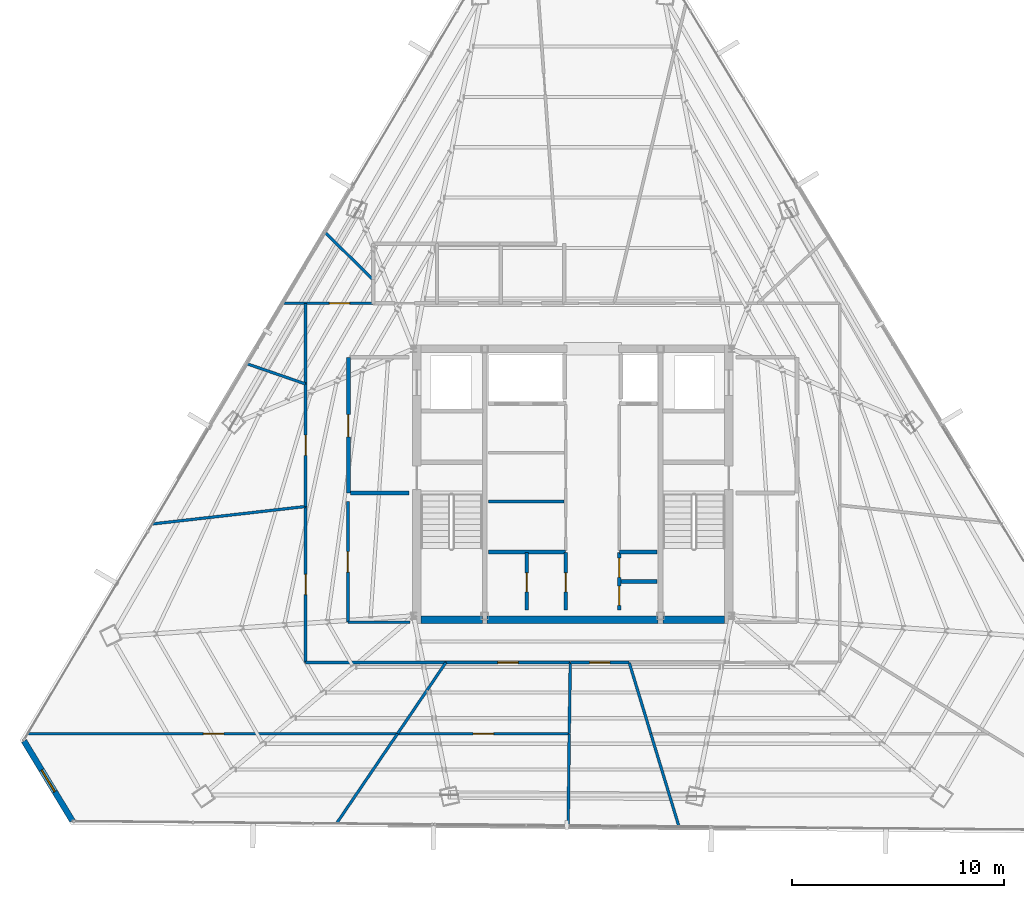
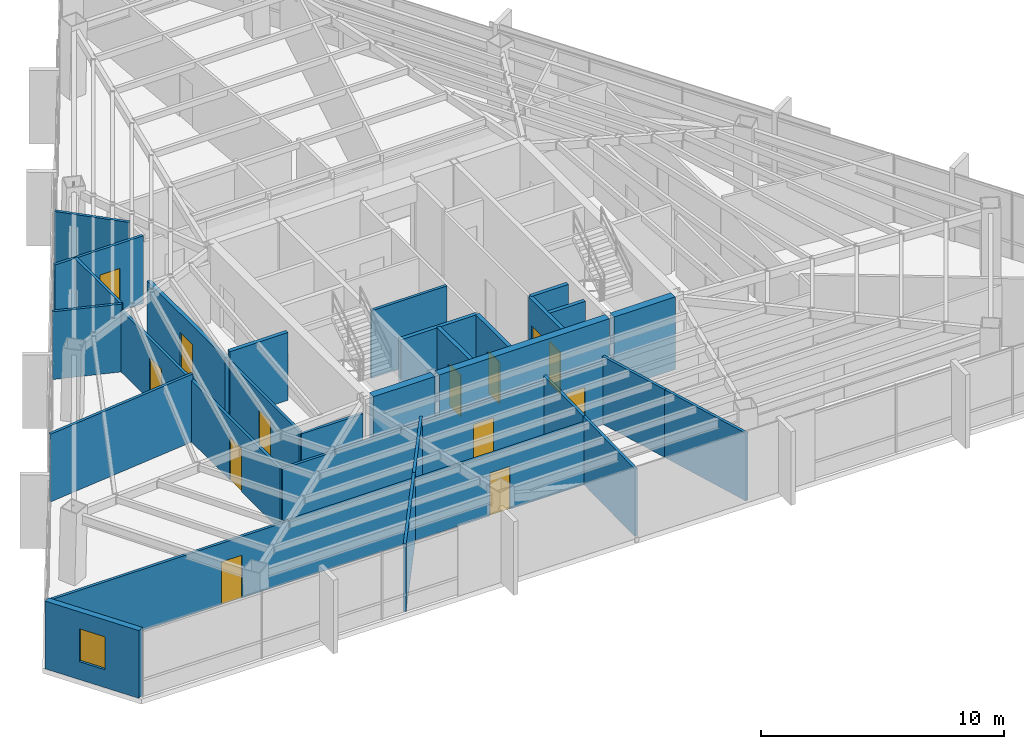
# One storey, part 44 of 49: 33 walls, 13 doors, 1 window, 14 openings.
"""IFC4 building model written with IfcOpenShell, lengths in metres."""

import ifcopenshell
import ifcopenshell.guid

model = None  # the IFC model being written
_history = None  # IfcOwnerHistory: only IFC2X3 demands one
_inside = {}  # id of a spatial element -> (the spatial element, [elements in it])
_under = {}  # id of a project, library or spatial element -> (it, [spatial elements below it])
_declared = {}  # id of a project -> (the project, [libraries it declares])
_typed = {}  # id of a type object -> (the type object, [elements of that type])
_made_of = {}  # id of a material, layer set ... -> (it, [elements and type objects made of it])


def new_model(schema):
    """Start an empty IFC model of exactly this schema.

    Asked for "IFC4X3", IfcOpenShell would pick the latest addendum, in which some entities
    have other attributes; the version numbers below select the first issue.
    IFC2X3 requires an IfcOwnerHistory on every rooted entity: one is made here for all.
    """
    global model, _history
    if schema == "IFC4X3":
        model = ifcopenshell.file(schema_version=(4, 3, 0, 0))
    else:
        model = ifcopenshell.file(schema=schema)
    _inside.clear()
    _under.clear()
    _declared.clear()
    _typed.clear()
    _made_of.clear()
    _history = None
    if model.schema == "IFC2X3":
        org = make("IfcOrganization", Name="unknown")
        user = make(
            "IfcPersonAndOrganization",
            ThePerson=make("IfcPerson", FamilyName="unknown"),
            TheOrganization=org,
        )
        app = make(
            "IfcApplication",
            ApplicationDeveloper=org,
            Version="unknown",
            ApplicationFullName="unknown",
            ApplicationIdentifier="unknown",
        )
        _history = make(
            "IfcOwnerHistory",
            OwningUser=user,
            OwningApplication=app,
            ChangeAction="ADDED",
            CreationDate=0,
        )
    return model


def make(cls, **values):
    """One entity of the class cls with the attributes given. An attribute that is None is left unset."""
    return model.create_entity(
        cls, **{name: value for name, value in values.items() if value is not None}
    )


def rooted(cls, **values):
    """An entity with a GlobalId (a new one), such as an element, a storey or a relation."""
    return make(cls, GlobalId=ifcopenshell.guid.new(), OwnerHistory=_history, **values)


def si_unit(unit_type, name, prefix=None):
    """IfcSIUnit, for example si_unit("LENGTHUNIT", "METRE", prefix="MILLI")."""
    return make("IfcSIUnit", UnitType=unit_type, Prefix=prefix, Name=name)


def assignment(units):
    """IfcUnitAssignment: the units of a project."""
    return None if units is None else make("IfcUnitAssignment", Units=units)


def point(xyz):
    """IfcCartesianPoint."""
    return None if xyz is None else make("IfcCartesianPoint", Coordinates=xyz)


def direction(xyz):
    """IfcDirection."""
    return None if xyz is None else make("IfcDirection", DirectionRatios=xyz)


def frame(location, z_axis=None, x_axis=None):
    """IfcAxis2Placement3D, a coordinate frame: its origin and axes. An axis left out is left unset."""
    return make(
        "IfcAxis2Placement3D",
        Location=point(location),
        Axis=direction(z_axis),
        RefDirection=direction(x_axis),
    )


def frame_2d(location, x_axis=None):
    """IfcAxis2Placement2D, a coordinate frame in the plane: its origin and x axis."""
    return make(
        "IfcAxis2Placement2D", Location=point(location), RefDirection=direction(x_axis)
    )


def origin():
    """The frame at (0, 0, 0) with its axes left unset."""
    return frame((0.0, 0.0, 0.0))


def place(relative_to, where):
    """IfcLocalPlacement: puts the frame where relative to a parent placement (None: the world)."""
    return make(
        "IfcLocalPlacement", PlacementRelTo=relative_to, RelativePlacement=where
    )


def context(
    kind, dimensions, precision=None, world=None, true_north=None, identifier=None
):
    """IfcGeometricRepresentationContext, for example the 3D "Model" context."""
    return make(
        "IfcGeometricRepresentationContext",
        ContextIdentifier=identifier,
        ContextType=kind,
        CoordinateSpaceDimension=dimensions,
        Precision=precision,
        WorldCoordinateSystem=world,
        TrueNorth=true_north,
    )


def subcontext(parent, identifier, kind, view, scale=None):
    """IfcGeometricRepresentationSubContext, for example "Body" below "Model"."""
    return make(
        "IfcGeometricRepresentationSubContext",
        ContextIdentifier=identifier,
        ContextType=kind,
        ParentContext=parent,
        TargetScale=scale,
        TargetView=view,
    )


def project(units=None, contexts=None):
    """IfcProject with its units and contexts."""
    return rooted(
        "IfcProject",
        Name="project",
        RepresentationContexts=contexts,
        UnitsInContext=assignment(units),
    )


def spatial(cls, under=None, at=None, **own):
    """A site, building, storey or space (cls), placed at a placement, below another one or the project."""
    s = rooted(cls, ObjectPlacement=at, **own)
    if under is not None:
        _under.setdefault(under.id(), (under, []))[1].append(s)
    return s


def profile(cls, at=None, kind="AREA", **sizes):
    """A parametric profile (cls). Its sizes go by their IFC names, for example OverallWidth=200.0."""
    return make(cls, ProfileType=kind, Position=at, **sizes)


def rectangle(**sizes):
    """IfcRectangleProfileDef."""
    return profile("IfcRectangleProfileDef", **sizes)


def extrude(swept, where, along, depth):
    """IfcExtrudedAreaSolid: the profile swept, set in the frame where, extruded along a direction by depth."""
    return make(
        "IfcExtrudedAreaSolid",
        SweptArea=swept,
        Position=where,
        ExtrudedDirection=direction(along),
        Depth=depth,
    )


def shape(context_of_items, identifier, shape_type, items):
    """IfcShapeRepresentation: the items that make up one representation, for example the "Body"."""
    return make(
        "IfcShapeRepresentation",
        ContextOfItems=context_of_items,
        RepresentationIdentifier=identifier,
        RepresentationType=shape_type,
        Items=items,
    )


def material(Name=None, Category=None):
    """IfcMaterial."""
    return make("IfcMaterial", Name=Name, Category=Category)


def layer(
    of_material, thickness, ventilated=None, Name=None, Category=None, Priority=None
):
    """IfcMaterialLayer: one layer of a wall or slab, of a material (None: an air gap)."""
    return make(
        "IfcMaterialLayer",
        Material=of_material,
        LayerThickness=thickness,
        IsVentilated=ventilated,
        Name=Name,
        Category=Category,
        Priority=Priority,
    )


def layer_set(layers, Name=None):
    """IfcMaterialLayerSet."""
    return make("IfcMaterialLayerSet", MaterialLayers=layers, LayerSetName=Name)


def made_of(thing, what):
    """Note that an element or type object is made of a material, layer set ...; save() writes the relation."""
    if what is not None:
        _made_of.setdefault(what.id(), (what, []))[1].append(thing)
    return thing


def type_object(cls, material=None, **own):
    """A type object (cls), such as IfcWallType, which elements share."""
    return made_of(rooted(cls, **own), material)


def element(
    cls,
    number,
    at=None,
    inside=None,
    cuts=None,
    type_object=None,
    material=None,
    context=None,
    identifier="Body",
    shape_type=None,
    held_by="IfcProductDefinitionShape",
    body=None,
    shapes=None,
    **own,
):
    """One element of the class cls, such as IfcWall. Its Tag is "e" and its number.

    at: its placement. inside: the storey or other place that contains it. cuts: it is an
    opening in that element (IfcRelVoidsElement). A single representation is given by context,
    identifier, shape_type and body (its items); several are given by shapes. held_by: the class
    of the entity that holds the representations. save() writes the other relations.
    """
    e = rooted(cls, Tag="e%d" % number, ObjectPlacement=at, **own)
    if body is not None:
        shapes = [shape(context, identifier, shape_type, body)]
    if shapes is not None:
        e.Representation = make(held_by, Representations=shapes)
    if inside is not None:
        _inside.setdefault(inside.id(), (inside, []))[1].append(e)
    if cuts is not None:
        rooted(
            "IfcRelVoidsElement", RelatingBuildingElement=cuts, RelatedOpeningElement=e
        )
    if type_object is not None:
        _typed.setdefault(type_object.id(), (type_object, []))[1].append(e)
    return made_of(e, material)


def fill(opening, filler):
    """IfcRelFillsElement: the door or window that sits in an opening."""
    return rooted(
        "IfcRelFillsElement",
        RelatingOpeningElement=opening,
        RelatedBuildingElement=filler,
    )


def aggregate(whole, parts):
    """IfcRelAggregates: a whole, such as a stair, and the parts it consists of."""
    return rooted("IfcRelAggregates", RelatingObject=whole, RelatedObjects=parts)


def save(model, path):
    """Write the relations noted so far, then the file.

    IfcRelAggregates (storeys below a building ...), IfcRelContainedInSpatialStructure (elements
    in a storey), IfcRelDefinesByType, IfcRelAssociatesMaterial and IfcRelDeclares: one each for
    every whole, place, type object, material and project.
    """
    for whole, parts in _under.values():
        aggregate(whole, parts)
    for where, things in _inside.values():
        rooted(
            "IfcRelContainedInSpatialStructure",
            RelatedElements=things,
            RelatingStructure=where,
        )
    for kind, things in _typed.values():
        rooted("IfcRelDefinesByType", RelatedObjects=things, RelatingType=kind)
    for what, things in _made_of.values():
        rooted("IfcRelAssociatesMaterial", RelatedObjects=things, RelatingMaterial=what)
    for by, libraries in _declared.values():
        rooted("IfcRelDeclares", RelatingContext=by, RelatedDefinitions=libraries)
    model.write(path)


model = new_model("IFC4")

# Units and contexts
model_context = context("Model", 3, precision=1e-05, world=origin(), true_north=direction((0.0, 1.0)))
body_context = subcontext(model_context, "Body", "Model", "MODEL_VIEW")
ifc_project = project(units=[si_unit("LENGTHUNIT", "METRE"), si_unit("AREAUNIT", "SQUARE_METRE"), si_unit("VOLUMEUNIT", "CUBIC_METRE"), si_unit("PLANEANGLEUNIT", "RADIAN"), si_unit("MASSUNIT", "GRAM", prefix="KILO")], contexts=[model_context])

# Site, building, storey
site_placement = place(None, origin())
site = spatial("IfcSite", under=ifc_project, at=site_placement, CompositionType="ELEMENT")
building_placement = place(site_placement, origin())
building = spatial("IfcBuilding", under=site, at=building_placement, Name="Caelisora Broadcast Tower", CompositionType="ELEMENT")
storey_placement = place(building_placement, frame((0.0, 0.0, 233.5)))
storey = spatial("IfcBuildingStorey", under=building, at=storey_placement, Name="L61", CompositionType="ELEMENT", Elevation=233.5)

# Walls
ifc_material_1 = material(Name="Concrete 40 MPa (AS 3600 N40)", Category="concrete")
ifc_layer_1 = layer(ifc_material_1, 0.35009765625, Name="Concrete 40 MPa (AS 3600 N40)")
ifc_layer_set_1 = layer_set([ifc_layer_1], Name="Concrete 40 MPa (AS 3600 N40)")
wall_type_1 = type_object("IfcWallType", Name="CW6", PredefinedType="SHEAR", material=ifc_layer_set_1)
wall_1_placement = place(storey_placement, frame((30.840087890625, 17.22509765625, 0.0), z_axis=(0.0, 0.0, 1.0), x_axis=(1.0, 0.0, 0.0)))
element("IfcWall", 1, at=wall_1_placement, inside=storey, type_object=wall_type_1, Name="L61 core shear wall CW6", PredefinedType="SHEAR", context=body_context, shape_type="SweptSolid", body=[
    extrude(rectangle(XDim=2.89990234375, YDim=0.35009765625, at=frame_2d((1.449951171875, 0.0))), origin(), (0.0, 0.0, 1.0), 3.64990234375),
])
wall_2_placement = place(storey_placement, frame((33.9599609375, 17.22509765625, 0.0), z_axis=(0.0, 0.0, 1.0), x_axis=(1.0, 0.0, 0.0)))
element("IfcWall", 2, at=wall_2_placement, inside=storey, type_object=wall_type_1, Name="L61 core shear wall CW6", PredefinedType="SHEAR", context=body_context, shape_type="SweptSolid", body=[
    extrude(rectangle(XDim=8.080078125, YDim=0.35009765625, at=frame_2d((4.0400390625, 0.0))), origin(), (0.0, 0.0, 1.0), 3.64990234375),
])
wall_3_placement = place(storey_placement, frame((42.260009765625, 17.22509765625, 0.0), z_axis=(0.0, 0.0, 1.0), x_axis=(1.0, 0.0, 0.0)))
element("IfcWall", 3, at=wall_3_placement, inside=storey, type_object=wall_type_1, Name="L61 core shear wall CW6", PredefinedType="SHEAR", context=body_context, shape_type="SweptSolid", body=[
    extrude(rectangle(XDim=2.89990234375, YDim=0.35009765625, at=frame_2d((1.449951171875, 0.0))), origin(), (0.0, 0.0, 1.0), 3.64990234375),
])

# Wall, opening, window
ifc_material_2 = material(Name="Insulated Terracotta Spandrel Wall System", Category="masonry")
ifc_layer_2 = layer(ifc_material_2, 0.280029296875, Name="Insulated Terracotta Spandrel Wall System")
ifc_layer_set_2 = layer_set([ifc_layer_2], Name="Insulated Terracotta Spandrel Wall System")
wall_type_2 = type_object("IfcWallType", Name="EW1", PredefinedType="STANDARD", material=ifc_layer_set_2)
wall_4_placement = place(storey_placement, frame((14.3974609375, 7.733642578125, 0.0), z_axis=(0.0, 0.0, 1.0), x_axis=(-0.518358282494, 0.855163546329, 0.0)))
wall_4 = element("IfcWall", 4, at=wall_4_placement, inside=storey, type_object=wall_type_2, Name="L61 exterior envelope wall EW1", PredefinedType="STANDARD", context=body_context, shape_type="SweptSolid", body=[
    extrude(rectangle(XDim=4.39990234375, YDim=0.280029296875, at=frame_2d((2.199951171875, 0.0))), origin(), (0.0, 0.0, 1.0), 3.39990234375),
])
opening_1_placement = place(wall_4_placement, frame((1.60009765625, 0.0, 0.89990234375)))
opening_1 = element("IfcOpeningElement", 5, at=opening_1_placement, cuts=wall_4, Name="Opening W03", PredefinedType="OPENING", context=body_context, shape_type="SweptSolid", body=[
    extrude(rectangle(XDim=1.199951171875, YDim=1.64990234375, at=frame_2d((0.60009765625, 0.824951171875))), frame((0.0, 0.152099609375, 0.0), z_axis=(0.0, -1.0, 0.0), x_axis=(1.0, 0.0, 0.0)), (0.0, 0.0, 1.0), 0.303955078125),
])
ifc_material_3 = material(Name="Double Glazed Corner Vision Window", Category="glass")
window_type = type_object("IfcWindowType", Name="W03", PartitioningType="SINGLE_PANEL", PredefinedType="WINDOW", material=ifc_material_3)
window_placement = place(opening_1_placement, origin())
window = element("IfcWindow", 6, at=window_placement, inside=storey, type_object=window_type, Name="L61 window W03 (L61-WN-CH4)", OverallHeight=1.64990234375, OverallWidth=1.199951171875, PartitioningType="SINGLE_PANEL", PredefinedType="WINDOW", context=body_context, shape_type="SweptSolid", body=[
    extrude(rectangle(XDim=1.199951171875, YDim=1.64990234375, at=frame_2d((0.60009765625, 0.824951171875))), frame((0.0, 0.030029296875, 0.0), z_axis=(0.0, -1.0, 0.0), x_axis=(1.0, 0.0, 0.0)), (0.0, 0.0, 1.0), 0.06005859375),
])
fill(opening_1, window)

# Wall, opening, door
ifc_material_4 = material(Name="Fire-Rated Gypsum Shaft and Compartment Wall", Category="gypsum")
ifc_layer_3 = layer(ifc_material_4, 0.179931640625, Name="Fire-Rated Gypsum Shaft and Compartment Wall")
ifc_layer_set_3 = layer_set([ifc_layer_3], Name="Fire-Rated Gypsum Shaft and Compartment Wall")
wall_type_3 = type_object("IfcWallType", Name="PW2", PredefinedType="PARTITIONING", material=ifc_layer_set_3)
wall_5_placement = place(storey_placement, frame((27.419921875, 23.199951171875, 0.0), z_axis=(0.0, 0.0, 1.0), x_axis=(0.0, 1.0, 0.0)))
wall_5 = element("IfcWall", 7, at=wall_5_placement, inside=storey, type_object=wall_type_3, Name="L61 fire compartment wall PW2", PredefinedType="PARTITIONING", context=body_context, shape_type="SweptSolid", body=[
    extrude(rectangle(XDim=6.400146484375, YDim=0.179931640625, at=frame_2d((3.2001953125, 0.0))), origin(), (0.0, 0.0, 1.0), 3.0849609375),
])
opening_2_placement = place(wall_5_placement, frame((2.64990234375, 0.0, 0.0)))
opening_2 = element("IfcOpeningElement", 8, at=opening_2_placement, cuts=wall_5, Name="Opening FD02", PredefinedType="OPENING", context=body_context, shape_type="SweptSolid", body=[
    extrude(rectangle(XDim=1.050048828125, YDim=2.14990234375, at=frame_2d((0.52490234375, 1.074951171875))), frame((0.0, 0.10205078125, 0.0), z_axis=(0.0, -1.0, 0.0), x_axis=(1.0, 0.0, 0.0)), (0.0, 0.0, 1.0), 0.203857421875),
])
ifc_material_5 = material(Name="Single-Leaf Steel Fire Lobby Door", Category="steel")
door_type_1 = type_object("IfcDoorType", Name="FD02", OperationType="NOTDEFINED", PredefinedType="DOOR", material=ifc_material_5)
door_1_placement = place(opening_2_placement, origin())
door_1 = element("IfcDoor", 9, at=door_1_placement, inside=storey, type_object=door_type_1, Name="L61 door FD02 (L61-DR-P01D1)", OperationType="SINGLE_SWING_LEFT", OverallHeight=2.14990234375, OverallWidth=1.050048828125, PredefinedType="DOOR", context=body_context, shape_type="SweptSolid", body=[
    extrude(rectangle(XDim=1.050048828125, YDim=2.14990234375, at=frame_2d((0.52490234375, 1.074951171875))), frame((0.0, 0.02490234375, 0.0), z_axis=(0.0, -1.0, 0.0), x_axis=(1.0, 0.0, 0.0)), (0.0, 0.0, 1.0), 0.050048828125),
])
fill(opening_2, door_1)

# Walls
wall_6_placement = place(storey_placement, frame((27.52001953125, 23.199951171875, 0.0), z_axis=(0.0, 0.0, 1.0), x_axis=(1.0, 0.0, 0.0)))
element("IfcWall", 10, at=wall_6_placement, inside=storey, type_object=wall_type_3, Name="L61 fire compartment wall PW2", PredefinedType="PARTITIONING", context=body_context, shape_type="SweptSolid", body=[
    extrude(rectangle(XDim=2.760009765625, YDim=0.179931640625, at=frame_2d((1.3798828125, 0.0))), origin(), (0.0, 0.0, 1.0), 3.39990234375),
])
wall_7_placement = place(storey_placement, frame((34.02001953125, 20.419921875, 0.0), z_axis=(0.0, 0.0, 1.0), x_axis=(1.0, 0.0, 0.0)))
element("IfcWall", 11, at=wall_7_placement, inside=storey, type_object=wall_type_3, Name="L61 fire compartment wall PW2", PredefinedType="PARTITIONING", context=body_context, shape_type="SweptSolid", body=[
    extrude(rectangle(XDim=3.639892578125, YDim=0.179931640625, at=frame_2d((1.81982421875, 0.0))), origin(), (0.0, 0.0, 1.0), 3.39990234375),
])
wall_8_placement = place(storey_placement, frame((40.219970703125, 20.419921875, 0.0), z_axis=(0.0, 0.0, 1.0), x_axis=(1.0, 0.0, 0.0)))
element("IfcWall", 12, at=wall_8_placement, inside=storey, type_object=wall_type_3, Name="L61 fire compartment wall PW2", PredefinedType="PARTITIONING", context=body_context, shape_type="SweptSolid", body=[
    extrude(rectangle(XDim=1.760009765625, YDim=0.179931640625, at=frame_2d((0.8798828125, 0.0))), origin(), (0.0, 0.0, 1.0), 3.39990234375),
])

# Wall, opening, door
wall_9_placement = place(storey_placement, frame((35.840087890625, 17.679931640625, 0.0), z_axis=(0.0, 0.0, 1.0), x_axis=(0.0, 1.0, 0.0)))
wall_9 = element("IfcWall", 13, at=wall_9_placement, inside=storey, type_object=wall_type_3, Name="L61 fire compartment wall PW2", PredefinedType="PARTITIONING", context=body_context, shape_type="SweptSolid", body=[
    extrude(rectangle(XDim=2.699951171875, YDim=0.179931640625, at=frame_2d((1.35009765625, 0.0))), origin(), (0.0, 0.0, 1.0), 3.39990234375),
])
opening_3_placement = place(wall_9_placement, frame((0.85009765625, 0.0, 0.0)))
opening_3 = element("IfcOpeningElement", 14, at=opening_3_placement, cuts=wall_9, Name="Opening FD03", PredefinedType="OPENING", context=body_context, shape_type="SweptSolid", body=[
    extrude(rectangle(XDim=0.89990234375, YDim=2.10009765625, at=frame_2d((0.449951171875, 1.050048828125))), frame((0.0, 0.10205078125, 0.0), z_axis=(0.0, -1.0, 0.0), x_axis=(1.0, 0.0, 0.0)), (0.0, 0.0, 1.0), 0.203857421875),
])
ifc_material_6 = material(Name="Single-Leaf Steel Riser Fire Access Door", Category="steel")
door_type_2 = type_object("IfcDoorType", Name="FD03", OperationType="NOTDEFINED", PredefinedType="DOOR", material=ifc_material_6)
door_2_placement = place(opening_3_placement, origin())
door_2 = element("IfcDoor", 15, at=door_2_placement, inside=storey, type_object=door_type_2, Name="L61 door FD03 (L61-DR-P15D1)", OperationType="SINGLE_SWING_LEFT", OverallHeight=2.10009765625, OverallWidth=0.89990234375, PredefinedType="DOOR", context=body_context, shape_type="SweptSolid", body=[
    extrude(rectangle(XDim=0.89990234375, YDim=2.10009765625, at=frame_2d((0.449951171875, 1.050048828125))), frame((0.0, 0.02490234375, 0.0), z_axis=(0.0, -1.0, 0.0), x_axis=(1.0, 0.0, 0.0)), (0.0, 0.0, 1.0), 0.050048828125),
])
fill(opening_3, door_2)

wall_10_placement = place(storey_placement, frame((37.679931640625, 17.679931640625, 0.0), z_axis=(0.0, 0.0, 1.0), x_axis=(0.0, 1.0, 0.0)))
wall_10 = element("IfcWall", 16, at=wall_10_placement, inside=storey, type_object=wall_type_3, Name="L61 fire compartment wall PW2", PredefinedType="PARTITIONING", context=body_context, shape_type="SweptSolid", body=[
    extrude(rectangle(XDim=2.699951171875, YDim=0.179931640625, at=frame_2d((1.35009765625, 0.0))), origin(), (0.0, 0.0, 1.0), 3.39990234375),
])
opening_4_placement = place(wall_10_placement, frame((0.85009765625, 0.0, 0.0)))
opening_4 = element("IfcOpeningElement", 17, at=opening_4_placement, cuts=wall_10, Name="Opening FD03", PredefinedType="OPENING", context=body_context, shape_type="SweptSolid", body=[
    extrude(rectangle(XDim=0.89990234375, YDim=2.10009765625, at=frame_2d((0.449951171875, 1.050048828125))), frame((0.0, 0.10205078125, 0.0), z_axis=(0.0, -1.0, 0.0), x_axis=(1.0, 0.0, 0.0)), (0.0, 0.0, 1.0), 0.203857421875),
])
door_3_placement = place(opening_4_placement, origin())
door_3 = element("IfcDoor", 18, at=door_3_placement, inside=storey, type_object=door_type_2, Name="L61 door FD03 (L61-DR-P16D1)", OperationType="SINGLE_SWING_RIGHT", OverallHeight=2.10009765625, OverallWidth=0.89990234375, PredefinedType="DOOR", context=body_context, shape_type="SweptSolid", body=[
    extrude(rectangle(XDim=0.89990234375, YDim=2.10009765625, at=frame_2d((0.449951171875, 1.050048828125))), frame((0.0, 0.02490234375, 0.0), z_axis=(0.0, -1.0, 0.0), x_axis=(1.0, 0.0, 0.0)), (0.0, 0.0, 1.0), 0.050048828125),
])
fill(opening_4, door_3)

# Wall
wall_11_placement = place(storey_placement, frame((40.280029296875, 19.02001953125, 0.0), z_axis=(0.0, 0.0, 1.0), x_axis=(1.0, 0.0, 0.0)))
element("IfcWall", 19, at=wall_11_placement, inside=storey, type_object=wall_type_3, Name="L61 fire compartment wall PW2", PredefinedType="PARTITIONING", context=body_context, shape_type="SweptSolid", body=[
    extrude(rectangle(XDim=1.699951171875, YDim=0.179931640625, at=frame_2d((0.85009765625, 0.0))), origin(), (0.0, 0.0, 1.0), 3.39990234375),
])

# Wall, openings, doors
wall_12_placement = place(storey_placement, frame((40.199951171875, 17.679931640625, 0.0), z_axis=(0.0, 0.0, 1.0), x_axis=(0.0, 1.0, 0.0)))
wall_12 = element("IfcWall", 20, at=wall_12_placement, inside=storey, type_object=wall_type_3, Name="L61 fire compartment wall PW2", PredefinedType="PARTITIONING", context=body_context, shape_type="SweptSolid", body=[
    extrude(rectangle(XDim=2.699951171875, YDim=0.179931640625, at=frame_2d((1.35009765625, 0.0))), origin(), (0.0, 0.0, 1.0), 3.39990234375),
])
opening_5_placement = place(wall_12_placement, frame((0.219970703125, 0.0, 0.0)))
opening_5 = element("IfcOpeningElement", 21, at=opening_5_placement, cuts=wall_12, Name="Opening FD03", PredefinedType="OPENING", context=body_context, shape_type="SweptSolid", body=[
    extrude(rectangle(XDim=0.89990234375, YDim=2.10009765625, at=frame_2d((0.449951171875, 1.050048828125))), frame((0.0, 0.10205078125, 0.0), z_axis=(0.0, -1.0, 0.0), x_axis=(1.0, 0.0, 0.0)), (0.0, 0.0, 1.0), 0.203857421875),
])
opening_6_placement = place(wall_12_placement, frame((1.5400390625, 0.0, 0.0)))
opening_6 = element("IfcOpeningElement", 22, at=opening_6_placement, cuts=wall_12, Name="Opening FD03", PredefinedType="OPENING", context=body_context, shape_type="SweptSolid", body=[
    extrude(rectangle(XDim=0.89990234375, YDim=2.10009765625, at=frame_2d((0.449951171875, 1.050048828125))), frame((0.0, 0.10205078125, 0.0), z_axis=(0.0, -1.0, 0.0), x_axis=(1.0, 0.0, 0.0)), (0.0, 0.0, 1.0), 0.203857421875),
])
door_4_placement = place(opening_5_placement, origin())
door_4 = element("IfcDoor", 23, at=door_4_placement, inside=storey, type_object=door_type_2, Name="L61 door FD03 (L61-DR-P18D1)", OperationType="SINGLE_SWING_LEFT", OverallHeight=2.10009765625, OverallWidth=0.89990234375, PredefinedType="DOOR", context=body_context, shape_type="SweptSolid", body=[
    extrude(rectangle(XDim=0.89990234375, YDim=2.10009765625, at=frame_2d((0.449951171875, 1.050048828125))), frame((0.0, 0.02490234375, 0.0), z_axis=(0.0, -1.0, 0.0), x_axis=(1.0, 0.0, 0.0)), (0.0, 0.0, 1.0), 0.050048828125),
])
fill(opening_5, door_4)
door_5_placement = place(opening_6_placement, origin())
door_5 = element("IfcDoor", 24, at=door_5_placement, inside=storey, type_object=door_type_2, Name="L61 door FD03 (L61-DR-P18D2)", OperationType="SINGLE_SWING_RIGHT", OverallHeight=2.10009765625, OverallWidth=0.89990234375, PredefinedType="DOOR", context=body_context, shape_type="SweptSolid", body=[
    extrude(rectangle(XDim=0.89990234375, YDim=2.10009765625, at=frame_2d((0.449951171875, 1.050048828125))), frame((0.0, 0.02490234375, 0.0), z_axis=(0.0, -1.0, 0.0), x_axis=(1.0, 0.0, 0.0)), (0.0, 0.0, 1.0), 0.050048828125),
])
fill(opening_6, door_5)

# Wall
ifc_material_7 = material(Name="Acoustic Steel-Stud Plasterboard Partition", Category="gypsum")
ifc_layer_4 = layer(ifc_material_7, 0.1298828125, Name="Acoustic Steel-Stud Plasterboard Partition")
ifc_layer_set_4 = layer_set([ifc_layer_4], Name="Acoustic Steel-Stud Plasterboard Partition")
wall_type_4 = type_object("IfcWallType", Name="PW3", PredefinedType="PARTITIONING", material=ifc_layer_set_4)
wall_13_placement = place(storey_placement, frame((34.02001953125, 22.800048828125, 0.0), z_axis=(0.0, 0.0, 1.0), x_axis=(1.0, 0.0, 0.0)))
element("IfcWall", 25, at=wall_13_placement, inside=storey, type_object=wall_type_4, Name="L61 internal partition PW3", PredefinedType="PARTITIONING", context=body_context, shape_type="SweptSolid", body=[
    extrude(rectangle(XDim=3.580078125, YDim=0.1298828125, at=frame_2d((1.7900390625, 0.0))), origin(), (0.0, 0.0, 1.0), 3.39990234375),
])

# Wall, opening, door
wall_14_placement = place(storey_placement, frame((12.2841796875, 11.840087890625, 0.0), z_axis=(0.0, 0.0, 1.0), x_axis=(1.0, 0.0, 0.0)))
wall_14 = element("IfcWall", 26, at=wall_14_placement, inside=storey, type_object=wall_type_4, Name="L61 internal partition PW3", PredefinedType="PARTITIONING", context=body_context, shape_type="SweptSolid", body=[
    extrude(rectangle(XDim=17.450927734375, YDim=0.1298828125, at=frame_2d((8.7255859375, 0.0))), origin(), (0.0, 0.0, 1.0), 3.0849609375),
])
opening_7_placement = place(wall_14_placement, frame((8.297119140625, 0.0, 0.0)))
opening_7 = element("IfcOpeningElement", 27, at=opening_7_placement, cuts=wall_14, Name="Opening D01", PredefinedType="OPENING", context=body_context, shape_type="SweptSolid", body=[
    extrude(rectangle(XDim=0.9599609375, YDim=2.14990234375, at=frame_2d((0.47998046875, 1.074951171875))), frame((0.0, 0.076904296875, 0.0), z_axis=(0.0, -1.0, 0.0), x_axis=(1.0, 0.0, 0.0)), (0.0, 0.0, 1.0), 0.15380859375),
])
ifc_material_8 = material(Name="Solid-Core Timber Acoustic Office Door", Category="wood")
door_type_3 = type_object("IfcDoorType", Name="D01", OperationType="NOTDEFINED", PredefinedType="DOOR", material=ifc_material_8)
door_6_placement = place(opening_7_placement, origin())
door_6 = element("IfcDoor", 28, at=door_6_placement, inside=storey, type_object=door_type_3, Name="L61 door D01 (L61-DR-P30D1)", OperationType="SINGLE_SWING_RIGHT", OverallHeight=2.14990234375, OverallWidth=0.9599609375, PredefinedType="DOOR", context=body_context, shape_type="SweptSolid", body=[
    extrude(rectangle(XDim=0.9599609375, YDim=2.14990234375, at=frame_2d((0.47998046875, 1.074951171875))), frame((0.0, 0.02490234375, 0.0), z_axis=(0.0, -1.0, 0.0), x_axis=(1.0, 0.0, 0.0)), (0.0, 0.0, 1.0), 0.050048828125),
])
fill(opening_7, door_6)

wall_15_placement = place(storey_placement, frame((29.7451171875, 11.840087890625, 0.0), z_axis=(0.0, 0.0, 1.0), x_axis=(1.0, 0.0, 0.0)))
wall_15 = element("IfcWall", 29, at=wall_15_placement, inside=storey, type_object=wall_type_4, Name="L61 internal partition PW3", PredefinedType="PARTITIONING", context=body_context, shape_type="SweptSolid", body=[
    extrude(rectangle(XDim=8.08984375, YDim=0.1298828125, at=frame_2d((4.044921875, 0.0))), origin(), (0.0, 0.0, 1.0), 3.0849609375),
])
opening_8_placement = place(wall_15_placement, frame((3.56494140625, 0.0, 0.0)))
opening_8 = element("IfcOpeningElement", 30, at=opening_8_placement, cuts=wall_15, Name="Opening D01", PredefinedType="OPENING", context=body_context, shape_type="SweptSolid", body=[
    extrude(rectangle(XDim=0.9599609375, YDim=2.14990234375, at=frame_2d((0.47998046875, 1.074951171875))), frame((0.0, 0.076904296875, 0.0), z_axis=(0.0, -1.0, 0.0), x_axis=(1.0, 0.0, 0.0)), (0.0, 0.0, 1.0), 0.15380859375),
])
door_7_placement = place(opening_8_placement, origin())
door_7 = element("IfcDoor", 31, at=door_7_placement, inside=storey, type_object=door_type_3, Name="L61 door D01 (L61-DR-P39D1)", OperationType="SINGLE_SWING_LEFT", OverallHeight=2.14990234375, OverallWidth=0.9599609375, PredefinedType="DOOR", context=body_context, shape_type="SweptSolid", body=[
    extrude(rectangle(XDim=0.9599609375, YDim=2.14990234375, at=frame_2d((0.47998046875, 1.074951171875))), frame((0.0, 0.02490234375, 0.0), z_axis=(0.0, -1.0, 0.0), x_axis=(1.0, 0.0, 0.0)), (0.0, 0.0, 1.0), 0.050048828125),
])
fill(opening_8, door_7)

# Wall
wall_16_placement = place(storey_placement, frame((18.164306640625, 21.734130859375, 0.0), z_axis=(0.0, 0.0, 1.0), x_axis=(0.993554604112, 0.113354526363, 0.0)))
element("IfcWall", 32, at=wall_16_placement, inside=storey, type_object=wall_type_4, Name="L61 internal partition PW3", PredefinedType="PARTITIONING", context=body_context, shape_type="SweptSolid", body=[
    extrude(rectangle(XDim=7.277587890625, YDim=0.1298828125, at=frame_2d((3.638671875, 0.0))), origin(), (0.0, 0.0, 1.0), 3.39990234375),
])

# Wall, opening, door
wall_17_placement = place(storey_placement, frame((25.39990234375, 22.554931640625, 0.0), z_axis=(0.0, 0.0, 1.0), x_axis=(0.0, -1.0, 0.0)))
wall_17 = element("IfcWall", 33, at=wall_17_placement, inside=storey, type_object=wall_type_4, Name="L61 internal partition PW3", PredefinedType="PARTITIONING", context=body_context, shape_type="SweptSolid", body=[
    extrude(rectangle(XDim=7.349853515625, YDim=0.1298828125, at=frame_2d((3.6748046875, 0.0))), origin(), (0.0, 0.0, 1.0), 3.0849609375),
])
opening_9_placement = place(wall_17_placement, frame((3.195068359375, 0.0, 0.0)))
opening_9 = element("IfcOpeningElement", 34, at=opening_9_placement, cuts=wall_17, Name="Opening D01", PredefinedType="OPENING", context=body_context, shape_type="SweptSolid", body=[
    extrude(rectangle(XDim=0.9599609375, YDim=2.14990234375, at=frame_2d((0.47998046875, 1.074951171875))), frame((0.0, 0.076904296875, 0.0), z_axis=(0.0, -1.0, 0.0), x_axis=(1.0, 0.0, 0.0)), (0.0, 0.0, 1.0), 0.15380859375),
])
door_8_placement = place(opening_9_placement, origin())
door_8 = element("IfcDoor", 35, at=door_8_placement, inside=storey, type_object=door_type_3, Name="L61 door D01 (L61-DR-P42D1)", OperationType="SINGLE_SWING_RIGHT", OverallHeight=2.14990234375, OverallWidth=0.9599609375, PredefinedType="DOOR", context=body_context, shape_type="SweptSolid", body=[
    extrude(rectangle(XDim=0.9599609375, YDim=2.14990234375, at=frame_2d((0.47998046875, 1.074951171875))), frame((0.0, 0.02490234375, 0.0), z_axis=(0.0, -1.0, 0.0), x_axis=(1.0, 0.0, 0.0)), (0.0, 0.0, 1.0), 0.050048828125),
])
fill(opening_9, door_8)

# Wall
wall_18_placement = place(storey_placement, frame((25.405029296875, 15.199951171875, 0.0), z_axis=(0.0, 0.0, 1.0), x_axis=(1.0, 0.0, 0.0)))
element("IfcWall", 36, at=wall_18_placement, inside=storey, type_object=wall_type_4, Name="L61 internal partition PW3", PredefinedType="PARTITIONING", context=body_context, shape_type="SweptSolid", body=[
    extrude(rectangle(XDim=6.60986328125, YDim=0.1298828125, at=frame_2d((3.304931640625, 0.0))), origin(), (0.0, 0.0, 1.0), 3.0849609375),
])

# Wall, opening, door
wall_19_placement = place(storey_placement, frame((32.02490234375, 15.199951171875, 0.0), z_axis=(0.0, 0.0, 1.0), x_axis=(1.0, 0.0, 0.0)))
wall_19 = element("IfcWall", 37, at=wall_19_placement, inside=storey, type_object=wall_type_4, Name="L61 internal partition PW3", PredefinedType="PARTITIONING", context=body_context, shape_type="SweptSolid", body=[
    extrude(rectangle(XDim=5.860107421875, YDim=0.1298828125, at=frame_2d((2.93017578125, 0.0))), origin(), (0.0, 0.0, 1.0), 3.0849609375),
])
opening_10_placement = place(wall_19_placement, frame((2.449951171875, 0.0, 0.0)))
opening_10 = element("IfcOpeningElement", 38, at=opening_10_placement, cuts=wall_19, Name="Opening D01", PredefinedType="OPENING", context=body_context, shape_type="SweptSolid", body=[
    extrude(rectangle(XDim=0.9599609375, YDim=2.14990234375, at=frame_2d((0.47998046875, 1.074951171875))), frame((0.0, 0.076904296875, 0.0), z_axis=(0.0, -1.0, 0.0), x_axis=(1.0, 0.0, 0.0)), (0.0, 0.0, 1.0), 0.15380859375),
])
door_9_placement = place(opening_10_placement, origin())
door_9 = element("IfcDoor", 39, at=door_9_placement, inside=storey, type_object=door_type_3, Name="L61 door D01 (L61-DR-P46D1)", OperationType="SINGLE_SWING_LEFT", OverallHeight=2.14990234375, OverallWidth=0.9599609375, PredefinedType="DOOR", context=body_context, shape_type="SweptSolid", body=[
    extrude(rectangle(XDim=0.9599609375, YDim=2.14990234375, at=frame_2d((0.47998046875, 1.074951171875))), frame((0.0, 0.02490234375, 0.0), z_axis=(0.0, -1.0, 0.0), x_axis=(1.0, 0.0, 0.0)), (0.0, 0.0, 1.0), 0.050048828125),
])
fill(opening_10, door_9)

wall_20_placement = place(storey_placement, frame((25.39990234375, 22.56494140625, 0.0), z_axis=(0.0, 0.0, 1.0), x_axis=(0.0, 1.0, 0.0)))
wall_20 = element("IfcWall", 40, at=wall_20_placement, inside=storey, type_object=wall_type_4, Name="L61 internal partition PW3", PredefinedType="PARTITIONING", context=body_context, shape_type="SweptSolid", body=[
    extrude(rectangle(XDim=5.77001953125, YDim=0.1298828125, at=frame_2d((2.885009765625, 0.0))), origin(), (0.0, 0.0, 1.0), 3.0849609375),
])
opening_11_placement = place(wall_20_placement, frame((2.405029296875, 0.0, 0.0)))
opening_11 = element("IfcOpeningElement", 41, at=opening_11_placement, cuts=wall_20, Name="Opening D01", PredefinedType="OPENING", context=body_context, shape_type="SweptSolid", body=[
    extrude(rectangle(XDim=0.9599609375, YDim=2.14990234375, at=frame_2d((0.47998046875, 1.074951171875))), frame((0.0, 0.076904296875, 0.0), z_axis=(0.0, -1.0, 0.0), x_axis=(1.0, 0.0, 0.0)), (0.0, 0.0, 1.0), 0.15380859375),
])
door_10_placement = place(opening_11_placement, origin())
door_10 = element("IfcDoor", 42, at=door_10_placement, inside=storey, type_object=door_type_3, Name="L61 door D01 (L61-DR-P47D1)", OperationType="SINGLE_SWING_RIGHT", OverallHeight=2.14990234375, OverallWidth=0.9599609375, PredefinedType="DOOR", context=body_context, shape_type="SweptSolid", body=[
    extrude(rectangle(XDim=0.9599609375, YDim=2.14990234375, at=frame_2d((0.47998046875, 1.074951171875))), frame((0.0, 0.02490234375, 0.0), z_axis=(0.0, -1.0, 0.0), x_axis=(1.0, 0.0, 0.0)), (0.0, 0.0, 1.0), 0.050048828125),
])
fill(opening_11, door_10)

wall_21_placement = place(storey_placement, frame((27.39990234375, 17.10498046875, 0.0), z_axis=(0.0, 0.0, 1.0), x_axis=(0.0, 1.0, 0.0)))
wall_21 = element("IfcWall", 43, at=wall_21_placement, inside=storey, type_object=wall_type_4, Name="L61 internal partition PW3", PredefinedType="PARTITIONING", context=body_context, shape_type="SweptSolid", body=[
    extrude(rectangle(XDim=5.679931640625, YDim=0.1298828125, at=frame_2d((2.83984375, 0.0))), origin(), (0.0, 0.0, 1.0), 3.0849609375),
])
opening_12_placement = place(wall_21_placement, frame((2.360107421875, 0.0, 0.0)))
opening_12 = element("IfcOpeningElement", 44, at=opening_12_placement, cuts=wall_21, Name="Opening D01", PredefinedType="OPENING", context=body_context, shape_type="SweptSolid", body=[
    extrude(rectangle(XDim=0.9599609375, YDim=2.14990234375, at=frame_2d((0.47998046875, 1.074951171875))), frame((0.0, 0.076904296875, 0.0), z_axis=(0.0, -1.0, 0.0), x_axis=(1.0, 0.0, 0.0)), (0.0, 0.0, 1.0), 0.15380859375),
])
door_11_placement = place(opening_12_placement, origin())
door_11 = element("IfcDoor", 45, at=door_11_placement, inside=storey, type_object=door_type_3, Name="L61 door D01 (L61-DR-P49D1)", OperationType="SINGLE_SWING_RIGHT", OverallHeight=2.14990234375, OverallWidth=0.9599609375, PredefinedType="DOOR", context=body_context, shape_type="SweptSolid", body=[
    extrude(rectangle(XDim=0.9599609375, YDim=2.14990234375, at=frame_2d((0.47998046875, 1.074951171875))), frame((0.0, 0.02490234375, 0.0), z_axis=(0.0, -1.0, 0.0), x_axis=(1.0, 0.0, 0.0)), (0.0, 0.0, 1.0), 0.050048828125),
])
fill(opening_12, door_11)

# Walls
wall_22_placement = place(storey_placement, frame((26.852783203125, 7.59228515625, 0.0), z_axis=(0.0, 0.0, 1.0), x_axis=(0.562122597992, 0.827053918935, 0.0)))
element("IfcWall", 46, at=wall_22_placement, inside=storey, type_object=wall_type_4, Name="L61 internal partition PW3", PredefinedType="PARTITIONING", context=body_context, shape_type="SweptSolid", body=[
    extrude(rectangle(XDim=5.131103515625, YDim=0.1298828125, at=frame_2d((2.5654296875, 0.0))), origin(), (0.0, 0.0, 1.0), 3.39990234375),
])
wall_23_placement = place(storey_placement, frame((41.69091796875, 11.8349609375, 0.0), z_axis=(0.0, 0.0, 1.0), x_axis=(0.290014786634, -0.957022164599, 0.0)))
element("IfcWall", 47, at=wall_23_placement, inside=storey, type_object=wall_type_4, Name="L61 internal partition PW3", PredefinedType="PARTITIONING", context=body_context, shape_type="SweptSolid", body=[
    extrude(rectangle(XDim=4.583740234375, YDim=0.1298828125, at=frame_2d((2.2919921875, 0.0))), origin(), (0.0, 0.0, 1.0), 3.39990234375),
])
wall_24_placement = place(storey_placement, frame((37.791015625, 7.494873046875, 0.0), z_axis=(0.0, 0.0, 1.0), x_axis=(0.011306021998, 0.999936084891, 0.0)))
element("IfcWall", 48, at=wall_24_placement, inside=storey, type_object=wall_type_4, Name="L61 internal partition PW3", PredefinedType="PARTITIONING", context=body_context, shape_type="SweptSolid", body=[
    extrude(rectangle(XDim=4.34033203125, YDim=0.1298828125, at=frame_2d((2.170166015625, 0.0))), origin(), (0.0, 0.0, 1.0), 3.39990234375),
])
wall_25_placement = place(storey_placement, frame((29.742919921875, 11.843994140625, 0.0), z_axis=(0.0, 0.0, 1.0), x_axis=(0.561427721871, 0.827525777916, 0.0)))
element("IfcWall", 49, at=wall_25_placement, inside=storey, type_object=wall_type_4, Name="L61 internal partition PW3", PredefinedType="PARTITIONING", context=body_context, shape_type="SweptSolid", body=[
    extrude(rectangle(XDim=4.05078125, YDim=0.1298828125, at=frame_2d((2.025390625, 0.0))), origin(), (0.0, 0.0, 1.0), 3.39990234375),
])
wall_26_placement = place(storey_placement, frame((25.39990234375, 28.344970703125, 0.0), z_axis=(0.0, 0.0, 1.0), x_axis=(0.0, 1.0, 0.0)))
element("IfcWall", 50, at=wall_26_placement, inside=storey, type_object=wall_type_4, Name="L61 internal partition PW3", PredefinedType="PARTITIONING", context=body_context, shape_type="SweptSolid", body=[
    extrude(rectangle(XDim=3.800048828125, YDim=0.1298828125, at=frame_2d((1.89990234375, 0.0))), origin(), (0.0, 0.0, 1.0), 3.39990234375),
])
wall_27_placement = place(storey_placement, frame((40.6708984375, 15.195068359375, 0.0), z_axis=(0.0, 0.0, 1.0), x_axis=(0.290762046814, -0.956795397215, 0.0)))
element("IfcWall", 51, at=wall_27_placement, inside=storey, type_object=wall_type_4, Name="L61 internal partition PW3", PredefinedType="PARTITIONING", context=body_context, shape_type="SweptSolid", body=[
    extrude(rectangle(XDim=3.50146484375, YDim=0.1298828125, at=frame_2d((1.750732421875, 0.0))), origin(), (0.0, 0.0, 1.0), 3.39990234375),
])
wall_28_placement = place(storey_placement, frame((37.840087890625, 11.844970703125, 0.0), z_axis=(0.0, 0.0, 1.0), x_axis=(0.0148649949, 0.999889509859, 0.0)))
element("IfcWall", 52, at=wall_28_placement, inside=storey, type_object=wall_type_4, Name="L61 internal partition PW3", PredefinedType="PARTITIONING", context=body_context, shape_type="SweptSolid", body=[
    extrude(rectangle(XDim=3.3505859375, YDim=0.1298828125, at=frame_2d((1.67529296875, 0.0))), origin(), (0.0, 0.0, 1.0), 3.39990234375),
])
wall_29_placement = place(storey_placement, frame((26.33251953125, 35.478515625, 0.0), z_axis=(0.0, 0.0, 1.0), x_axis=(0.713196080007, -0.700964586454, 0.0)))
element("IfcWall", 53, at=wall_29_placement, inside=storey, type_object=wall_type_4, Name="L61 internal partition PW3", PredefinedType="PARTITIONING", context=body_context, shape_type="SweptSolid", body=[
    extrude(rectangle(XDim=3.173583984375, YDim=0.1298828125, at=frame_2d((1.5869140625, 0.0))), origin(), (0.0, 0.0, 1.0), 3.39990234375),
])

# Wall, opening, door
wall_30_placement = place(storey_placement, frame((24.38037109375, 32.14990234375, 0.0), z_axis=(0.0, 0.0, 1.0), x_axis=(1.0, 0.0, 0.0)))
wall_30 = element("IfcWall", 54, at=wall_30_placement, inside=storey, type_object=wall_type_4, Name="L61 internal partition PW3", PredefinedType="PARTITIONING", context=body_context, shape_type="SweptSolid", body=[
    extrude(rectangle(XDim=4.214599609375, YDim=0.1298828125, at=frame_2d((2.107421875, 0.0))), origin(), (0.0, 0.0, 1.0), 3.39990234375),
])
opening_13_placement = place(wall_30_placement, frame((2.139892578125, 0.0, 0.0)))
opening_13 = element("IfcOpeningElement", 55, at=opening_13_placement, cuts=wall_30, Name="Opening D01", PredefinedType="OPENING", context=body_context, shape_type="SweptSolid", body=[
    extrude(rectangle(XDim=0.9599609375, YDim=2.14990234375, at=frame_2d((0.47998046875, 1.074951171875))), frame((0.0, 0.076904296875, 0.0), z_axis=(0.0, -1.0, 0.0), x_axis=(1.0, 0.0, 0.0)), (0.0, 0.0, 1.0), 0.15380859375),
])
door_12_placement = place(opening_13_placement, origin())
door_12 = element("IfcDoor", 56, at=door_12_placement, inside=storey, type_object=door_type_3, Name="L61 door D01 (L61-DR-P61D1)", OperationType="SINGLE_SWING_LEFT", OverallHeight=2.14990234375, OverallWidth=0.9599609375, PredefinedType="DOOR", context=body_context, shape_type="SweptSolid", body=[
    extrude(rectangle(XDim=0.9599609375, YDim=2.14990234375, at=frame_2d((0.47998046875, 1.074951171875))), frame((0.0, 0.02490234375, 0.0), z_axis=(0.0, -1.0, 0.0), x_axis=(1.0, 0.0, 0.0)), (0.0, 0.0, 1.0), 0.050048828125),
])
fill(opening_13, door_12)

# Walls
wall_31_placement = place(storey_placement, frame((22.6533203125, 29.287841796875, 0.0), z_axis=(0.0, 0.0, 1.0), x_axis=(0.94533182382, -0.326110016516, 0.0)))
element("IfcWall", 57, at=wall_31_placement, inside=storey, type_object=wall_type_4, Name="L61 internal partition PW3", PredefinedType="PARTITIONING", context=body_context, shape_type="SweptSolid", body=[
    extrude(rectangle(XDim=2.900146484375, YDim=0.1298828125, at=frame_2d((1.4501953125, 0.0))), origin(), (0.0, 0.0, 1.0), 3.39990234375),
])
wall_32_placement = place(storey_placement, frame((30.324951171875, 17.10009765625, 0.0), z_axis=(0.0, 0.0, 1.0), x_axis=(-1.0, 0.0, 0.0)))
element("IfcWall", 58, at=wall_32_placement, inside=storey, type_object=wall_type_4, Name="L61 internal partition PW3", PredefinedType="PARTITIONING", context=body_context, shape_type="SweptSolid", body=[
    extrude(rectangle(XDim=2.919921875, YDim=0.1298828125, at=frame_2d((1.4599609375, 0.0))), origin(), (0.0, 0.0, 1.0), 2.985107421875),
])

# Wall, opening, door
wall_33_placement = place(storey_placement, frame((37.89501953125, 15.199951171875, 0.0), z_axis=(0.0, 0.0, 1.0), x_axis=(1.0, 0.0, 0.0)))
wall_33 = element("IfcWall", 59, at=wall_33_placement, inside=storey, type_object=wall_type_4, Name="L61 internal partition PW3", PredefinedType="PARTITIONING", context=body_context, shape_type="SweptSolid", body=[
    extrude(rectangle(XDim=2.77001953125, YDim=0.1298828125, at=frame_2d((1.385009765625, 0.0))), origin(), (0.0, 0.0, 1.0), 3.0849609375),
])
opening_14_placement = place(wall_33_placement, frame((0.905029296875, 0.0, 0.0)))
opening_14 = element("IfcOpeningElement", 60, at=opening_14_placement, cuts=wall_33, Name="Opening D01", PredefinedType="OPENING", context=body_context, shape_type="SweptSolid", body=[
    extrude(rectangle(XDim=0.9599609375, YDim=2.14990234375, at=frame_2d((0.47998046875, 1.074951171875))), frame((0.0, 0.076904296875, 0.0), z_axis=(0.0, -1.0, 0.0), x_axis=(1.0, 0.0, 0.0)), (0.0, 0.0, 1.0), 0.15380859375),
])
door_13_placement = place(opening_14_placement, origin())
door_13 = element("IfcDoor", 61, at=door_13_placement, inside=storey, type_object=door_type_3, Name="L61 door D01 (L61-DR-P66D1)", OperationType="SINGLE_SWING_RIGHT", OverallHeight=2.14990234375, OverallWidth=0.9599609375, PredefinedType="DOOR", context=body_context, shape_type="SweptSolid", body=[
    extrude(rectangle(XDim=0.9599609375, YDim=2.14990234375, at=frame_2d((0.47998046875, 1.074951171875))), frame((0.0, 0.02490234375, 0.0), z_axis=(0.0, -1.0, 0.0), x_axis=(1.0, 0.0, 0.0)), (0.0, 0.0, 1.0), 0.050048828125),
])
fill(opening_14, door_13)

save(model, "model.ifc")
